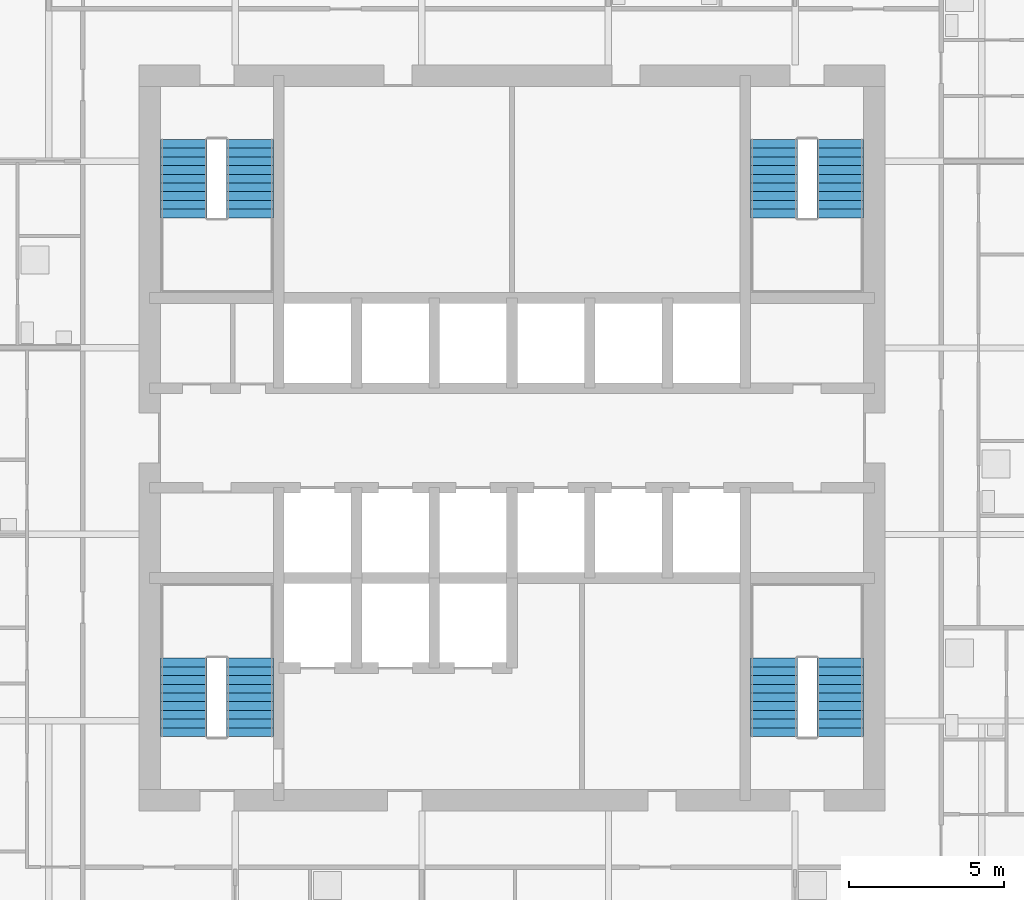
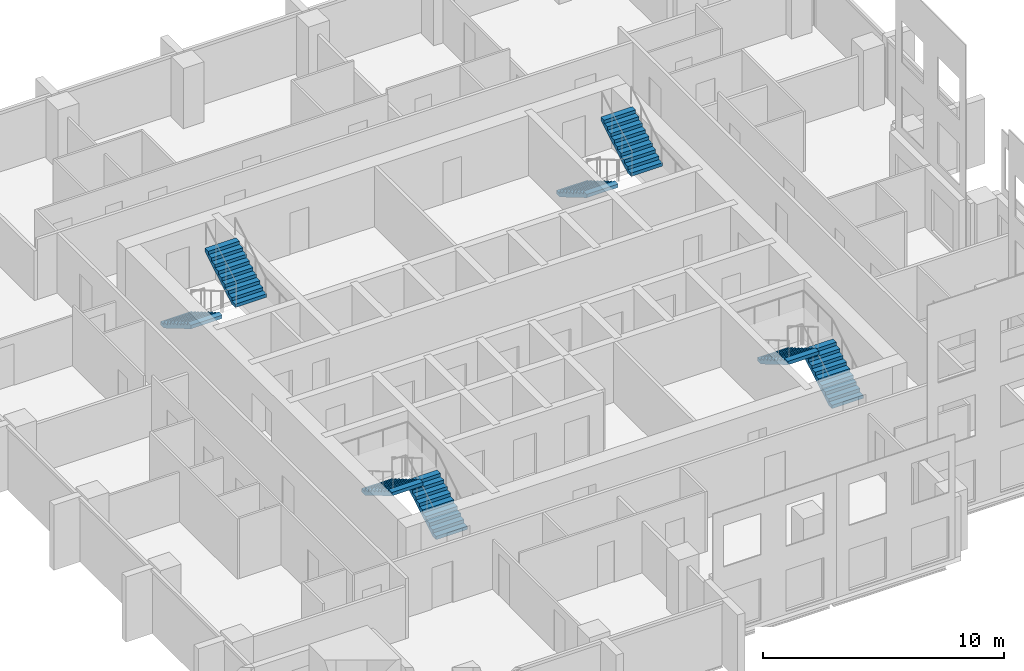
# One storey, part 8 of 11: 8 stair flights, 4 elements without a shape of their own.
"""IFC4 building model written with IfcOpenShell, lengths in metres."""

import ifcopenshell
import ifcopenshell.guid

model = None  # the IFC model being written
_history = None  # IfcOwnerHistory: only IFC2X3 demands one
_inside = {}  # id of a spatial element -> (the spatial element, [elements in it])
_under = {}  # id of a project, library or spatial element -> (it, [spatial elements below it])
_declared = {}  # id of a project -> (the project, [libraries it declares])
_typed = {}  # id of a type object -> (the type object, [elements of that type])
_made_of = {}  # id of a material, layer set ... -> (it, [elements and type objects made of it])


def new_model(schema):
    """Start an empty IFC model of exactly this schema.

    Asked for "IFC4X3", IfcOpenShell would pick the latest addendum, in which some entities
    have other attributes; the version numbers below select the first issue.
    IFC2X3 requires an IfcOwnerHistory on every rooted entity: one is made here for all.
    """
    global model, _history
    if schema == "IFC4X3":
        model = ifcopenshell.file(schema_version=(4, 3, 0, 0))
    else:
        model = ifcopenshell.file(schema=schema)
    _inside.clear()
    _under.clear()
    _declared.clear()
    _typed.clear()
    _made_of.clear()
    _history = None
    if model.schema == "IFC2X3":
        org = make("IfcOrganization", Name="unknown")
        user = make(
            "IfcPersonAndOrganization",
            ThePerson=make("IfcPerson", FamilyName="unknown"),
            TheOrganization=org,
        )
        app = make(
            "IfcApplication",
            ApplicationDeveloper=org,
            Version="unknown",
            ApplicationFullName="unknown",
            ApplicationIdentifier="unknown",
        )
        _history = make(
            "IfcOwnerHistory",
            OwningUser=user,
            OwningApplication=app,
            ChangeAction="ADDED",
            CreationDate=0,
        )
    return model


def make(cls, **values):
    """One entity of the class cls with the attributes given. An attribute that is None is left unset."""
    return model.create_entity(
        cls, **{name: value for name, value in values.items() if value is not None}
    )


def rooted(cls, **values):
    """An entity with a GlobalId (a new one), such as an element, a storey or a relation."""
    return make(cls, GlobalId=ifcopenshell.guid.new(), OwnerHistory=_history, **values)


def si_unit(unit_type, name, prefix=None):
    """IfcSIUnit, for example si_unit("LENGTHUNIT", "METRE", prefix="MILLI")."""
    return make("IfcSIUnit", UnitType=unit_type, Prefix=prefix, Name=name)


def assignment(units):
    """IfcUnitAssignment: the units of a project."""
    return None if units is None else make("IfcUnitAssignment", Units=units)


def point(xyz):
    """IfcCartesianPoint."""
    return None if xyz is None else make("IfcCartesianPoint", Coordinates=xyz)


def direction(xyz):
    """IfcDirection."""
    return None if xyz is None else make("IfcDirection", DirectionRatios=xyz)


def frame(location, z_axis=None, x_axis=None):
    """IfcAxis2Placement3D, a coordinate frame: its origin and axes. An axis left out is left unset."""
    return make(
        "IfcAxis2Placement3D",
        Location=point(location),
        Axis=direction(z_axis),
        RefDirection=direction(x_axis),
    )


def origin():
    """The frame at (0, 0, 0) with its axes left unset."""
    return frame((0.0, 0.0, 0.0))


def place(relative_to, where):
    """IfcLocalPlacement: puts the frame where relative to a parent placement (None: the world)."""
    return make(
        "IfcLocalPlacement", PlacementRelTo=relative_to, RelativePlacement=where
    )


def context(
    kind, dimensions, precision=None, world=None, true_north=None, identifier=None
):
    """IfcGeometricRepresentationContext, for example the 3D "Model" context."""
    return make(
        "IfcGeometricRepresentationContext",
        ContextIdentifier=identifier,
        ContextType=kind,
        CoordinateSpaceDimension=dimensions,
        Precision=precision,
        WorldCoordinateSystem=world,
        TrueNorth=true_north,
    )


def subcontext(parent, identifier, kind, view, scale=None):
    """IfcGeometricRepresentationSubContext, for example "Body" below "Model"."""
    return make(
        "IfcGeometricRepresentationSubContext",
        ContextIdentifier=identifier,
        ContextType=kind,
        ParentContext=parent,
        TargetScale=scale,
        TargetView=view,
    )


def project(units=None, contexts=None):
    """IfcProject with its units and contexts."""
    return rooted(
        "IfcProject",
        Name="project",
        RepresentationContexts=contexts,
        UnitsInContext=assignment(units),
    )


def spatial(cls, under=None, at=None, **own):
    """A site, building, storey or space (cls), placed at a placement, below another one or the project."""
    s = rooted(cls, ObjectPlacement=at, **own)
    if under is not None:
        _under.setdefault(under.id(), (under, []))[1].append(s)
    return s


def polyline(points):
    """IfcPolyline through the points."""
    return make("IfcPolyline", Points=[point(p) for p in points])


def outline(outer, holes=None, kind="AREA"):
    """IfcArbitraryClosedProfileDef: a profile drawn as a closed curve; with holes, ...WithVoids."""
    if holes is None:
        return make("IfcArbitraryClosedProfileDef", ProfileType=kind, OuterCurve=outer)
    return make(
        "IfcArbitraryProfileDefWithVoids",
        ProfileType=kind,
        OuterCurve=outer,
        InnerCurves=holes,
    )


def extrude(swept, where, along, depth):
    """IfcExtrudedAreaSolid: the profile swept, set in the frame where, extruded along a direction by depth."""
    return make(
        "IfcExtrudedAreaSolid",
        SweptArea=swept,
        Position=where,
        ExtrudedDirection=direction(along),
        Depth=depth,
    )


def shape(context_of_items, identifier, shape_type, items):
    """IfcShapeRepresentation: the items that make up one representation, for example the "Body"."""
    return make(
        "IfcShapeRepresentation",
        ContextOfItems=context_of_items,
        RepresentationIdentifier=identifier,
        RepresentationType=shape_type,
        Items=items,
    )


def material(Name=None, Category=None):
    """IfcMaterial."""
    return make("IfcMaterial", Name=Name, Category=Category)


def made_of(thing, what):
    """Note that an element or type object is made of a material, layer set ...; save() writes the relation."""
    if what is not None:
        _made_of.setdefault(what.id(), (what, []))[1].append(thing)
    return thing


def type_object(cls, material=None, **own):
    """A type object (cls), such as IfcWallType, which elements share."""
    return made_of(rooted(cls, **own), material)


def element(
    cls,
    number,
    at=None,
    inside=None,
    cuts=None,
    type_object=None,
    material=None,
    context=None,
    identifier="Body",
    shape_type=None,
    held_by="IfcProductDefinitionShape",
    body=None,
    shapes=None,
    **own,
):
    """One element of the class cls, such as IfcWall. Its Tag is "e" and its number.

    at: its placement. inside: the storey or other place that contains it. cuts: it is an
    opening in that element (IfcRelVoidsElement). A single representation is given by context,
    identifier, shape_type and body (its items); several are given by shapes. held_by: the class
    of the entity that holds the representations. save() writes the other relations.
    """
    e = rooted(cls, Tag="e%d" % number, ObjectPlacement=at, **own)
    if body is not None:
        shapes = [shape(context, identifier, shape_type, body)]
    if shapes is not None:
        e.Representation = make(held_by, Representations=shapes)
    if inside is not None:
        _inside.setdefault(inside.id(), (inside, []))[1].append(e)
    if cuts is not None:
        rooted(
            "IfcRelVoidsElement", RelatingBuildingElement=cuts, RelatedOpeningElement=e
        )
    if type_object is not None:
        _typed.setdefault(type_object.id(), (type_object, []))[1].append(e)
    return made_of(e, material)


def aggregate(whole, parts):
    """IfcRelAggregates: a whole, such as a stair, and the parts it consists of."""
    return rooted("IfcRelAggregates", RelatingObject=whole, RelatedObjects=parts)


def save(model, path):
    """Write the relations noted so far, then the file.

    IfcRelAggregates (storeys below a building ...), IfcRelContainedInSpatialStructure (elements
    in a storey), IfcRelDefinesByType, IfcRelAssociatesMaterial and IfcRelDeclares: one each for
    every whole, place, type object, material and project.
    """
    for whole, parts in _under.values():
        aggregate(whole, parts)
    for where, things in _inside.values():
        rooted(
            "IfcRelContainedInSpatialStructure",
            RelatedElements=things,
            RelatingStructure=where,
        )
    for kind, things in _typed.values():
        rooted("IfcRelDefinesByType", RelatedObjects=things, RelatingType=kind)
    for what, things in _made_of.values():
        rooted("IfcRelAssociatesMaterial", RelatedObjects=things, RelatingMaterial=what)
    for by, libraries in _declared.values():
        rooted("IfcRelDeclares", RelatingContext=by, RelatedDefinitions=libraries)
    model.write(path)


model = new_model("IFC4")

# Units and contexts
model_context = context("Model", 3, precision=1e-05, world=origin(), true_north=direction((0.0, 1.0)))
body_context = subcontext(model_context, "Body", "Model", "MODEL_VIEW")
ifc_project = project(units=[si_unit("LENGTHUNIT", "METRE"), si_unit("AREAUNIT", "SQUARE_METRE"), si_unit("VOLUMEUNIT", "CUBIC_METRE"), si_unit("PLANEANGLEUNIT", "RADIAN"), si_unit("MASSUNIT", "GRAM", prefix="KILO")], contexts=[model_context])

# Site, building, storey
site_placement = place(None, origin())
site = spatial("IfcSite", under=ifc_project, at=site_placement, CompositionType="ELEMENT")
building_placement = place(site_placement, origin())
building = spatial("IfcBuilding", under=site, at=building_placement, Name="Amberfall Residences", CompositionType="ELEMENT")
storey_placement = place(building_placement, frame((0.0, 0.0, 143.800048828125)))
storey = spatial("IfcBuildingStorey", under=building, at=storey_placement, Name="L38", CompositionType="ELEMENT", Elevation=143.800048828125)

# Stair, stair flights
ifc_material = material(Name="Concrete C40", Category="concrete")
stair_type = type_object("IfcStairType", Name="Exit stair 20 risers 165.0 mm", PredefinedType="HALF_TURN_STAIR", material=ifc_material)
stair_1_placement = place(storey_placement, origin())
stair_1 = element("IfcStair", 1, at=stair_1_placement, inside=storey, type_object=stair_type, Name="L38 Exit stair 1", PredefinedType="HALF_TURN_STAIR")
stair_flight_type = type_object("IfcStairFlightType", Name="Stair flight 10 risers 165.0 mm", PredefinedType="STRAIGHT", material=ifc_material)
stair_flight_1_placement = place(storey_placement, frame((66.074951171875, 35.89990234375, 0.0), z_axis=(0.0, 0.0, 1.0), x_axis=(0.0, 1.0, 0.0)))
stair_flight_1 = element("IfcStairFlight", 2, at=stair_flight_1_placement, type_object=stair_flight_type, Name="ST3 flight 1", NumberOfRisers=10, NumberOfTreads=9, PredefinedType="STRAIGHT", RiserHeight=0.165, TreadLength=0.28, context=body_context, shape_type="SweptSolid", body=[
    extrude(outline(polyline([(0.0, 0.0), (0.0, 0.1650390625), (0.280029296875, 0.1650390625), (0.280029296875, 0.330078125), (0.56005859375, 0.330078125), (0.56005859375, 0.4951171875), (0.840087890625, 0.4951171875), (0.840087890625, 0.659912109375), (1.1201171875, 0.659912109375), (1.1201171875, 0.824951171875), (1.39990234375, 0.824951171875), (1.39990234375, 0.989990234375), (1.679931640625, 0.989990234375), (1.679931640625, 1.155029296875), (1.9599609375, 1.155029296875), (1.9599609375, 1.320068359375), (2.239990234375, 1.320068359375), (2.239990234375, 1.485107421875), (2.52001953125, 1.485107421875), (2.52001953125, 1.64990234375), (2.52001953125, 1.31103515625), (0.295166015625, 0.0), (0.0, 0.0)])), frame((0.0, 0.75, 0.0), z_axis=(0.0, -1.0, 0.0), x_axis=(1.0, 0.0, 0.0)), (0.0, 0.0, 1.0), 1.5),
])
stair_flight_2_placement = place(storey_placement, frame((63.949951171875, 38.419921875, 1.64990234375), z_axis=(0.0, 0.0, 1.0), x_axis=(0.0, -1.0, 0.0)))
stair_flight_2 = element("IfcStairFlight", 3, at=stair_flight_2_placement, type_object=stair_flight_type, Name="ST3 flight 2", NumberOfRisers=10, NumberOfTreads=9, PredefinedType="STRAIGHT", RiserHeight=0.165, TreadLength=0.28, context=body_context, shape_type="SweptSolid", body=[
    extrude(outline(polyline([(0.0, 0.0), (0.0, 0.1650390625), (0.280029296875, 0.1650390625), (0.280029296875, 0.330078125), (0.56005859375, 0.330078125), (0.56005859375, 0.4951171875), (0.840087890625, 0.4951171875), (0.840087890625, 0.659912109375), (1.1201171875, 0.659912109375), (1.1201171875, 0.824951171875), (1.39990234375, 0.824951171875), (1.39990234375, 0.989990234375), (1.679931640625, 0.989990234375), (1.679931640625, 1.155029296875), (1.9599609375, 1.155029296875), (1.9599609375, 1.320068359375), (2.239990234375, 1.320068359375), (2.239990234375, 1.485107421875), (2.52001953125, 1.485107421875), (2.52001953125, 1.64990234375), (2.52001953125, 1.31103515625), (0.295166015625, 0.0), (0.0, 0.0)])), frame((0.0, 0.75, 0.0), z_axis=(0.0, -1.0, 0.0), x_axis=(1.0, 0.0, 0.0)), (0.0, 0.0, 1.0), 1.5),
])
aggregate(stair_1, [stair_flight_1, stair_flight_2])

stair_2_placement = place(storey_placement, origin())
stair_2 = element("IfcStair", 4, at=stair_2_placement, inside=storey, type_object=stair_type, Name="L38 Exit stair 2", PredefinedType="HALF_TURN_STAIR")
stair_flight_3_placement = place(storey_placement, frame((85.050048828125, 35.89990234375, 0.0), z_axis=(0.0, 0.0, 1.0), x_axis=(0.0, 1.0, 0.0)))
stair_flight_3 = element("IfcStairFlight", 5, at=stair_flight_3_placement, type_object=stair_flight_type, Name="ST3 flight 1", NumberOfRisers=10, NumberOfTreads=9, PredefinedType="STRAIGHT", RiserHeight=0.165, TreadLength=0.28, context=body_context, shape_type="SweptSolid", body=[
    extrude(outline(polyline([(0.0, 0.0), (0.0, 0.1650390625), (0.280029296875, 0.1650390625), (0.280029296875, 0.330078125), (0.56005859375, 0.330078125), (0.56005859375, 0.4951171875), (0.840087890625, 0.4951171875), (0.840087890625, 0.659912109375), (1.1201171875, 0.659912109375), (1.1201171875, 0.824951171875), (1.39990234375, 0.824951171875), (1.39990234375, 0.989990234375), (1.679931640625, 0.989990234375), (1.679931640625, 1.155029296875), (1.9599609375, 1.155029296875), (1.9599609375, 1.320068359375), (2.239990234375, 1.320068359375), (2.239990234375, 1.485107421875), (2.52001953125, 1.485107421875), (2.52001953125, 1.64990234375), (2.52001953125, 1.31103515625), (0.295166015625, 0.0), (0.0, 0.0)])), frame((0.0, 0.75, 0.0), z_axis=(0.0, -1.0, 0.0), x_axis=(1.0, 0.0, 0.0)), (0.0, 0.0, 1.0), 1.5),
])
stair_flight_4_placement = place(storey_placement, frame((82.925048828125, 38.419921875, 1.64990234375), z_axis=(0.0, 0.0, 1.0), x_axis=(0.0, -1.0, 0.0)))
stair_flight_4 = element("IfcStairFlight", 6, at=stair_flight_4_placement, type_object=stair_flight_type, Name="ST3 flight 2", NumberOfRisers=10, NumberOfTreads=9, PredefinedType="STRAIGHT", RiserHeight=0.165, TreadLength=0.28, context=body_context, shape_type="SweptSolid", body=[
    extrude(outline(polyline([(0.0, 0.0), (0.0, 0.1650390625), (0.280029296875, 0.1650390625), (0.280029296875, 0.330078125), (0.56005859375, 0.330078125), (0.56005859375, 0.4951171875), (0.840087890625, 0.4951171875), (0.840087890625, 0.659912109375), (1.1201171875, 0.659912109375), (1.1201171875, 0.824951171875), (1.39990234375, 0.824951171875), (1.39990234375, 0.989990234375), (1.679931640625, 0.989990234375), (1.679931640625, 1.155029296875), (1.9599609375, 1.155029296875), (1.9599609375, 1.320068359375), (2.239990234375, 1.320068359375), (2.239990234375, 1.485107421875), (2.52001953125, 1.485107421875), (2.52001953125, 1.64990234375), (2.52001953125, 1.31103515625), (0.295166015625, 0.0), (0.0, 0.0)])), frame((0.0, 0.75, 0.0), z_axis=(0.0, -1.0, 0.0), x_axis=(1.0, 0.0, 0.0)), (0.0, 0.0, 1.0), 1.5),
])
aggregate(stair_2, [stair_flight_3, stair_flight_4])

stair_3_placement = place(storey_placement, origin())
stair_3 = element("IfcStair", 7, at=stair_3_placement, inside=storey, type_object=stair_type, Name="L38 Exit stair 3", PredefinedType="HALF_TURN_STAIR")
stair_flight_5_placement = place(storey_placement, frame((82.925048828125, 55.10009765625, 0.0), z_axis=(0.0, 0.0, 1.0), x_axis=(0.0, -1.0, 0.0)))
stair_flight_5 = element("IfcStairFlight", 8, at=stair_flight_5_placement, type_object=stair_flight_type, Name="ST3 flight 1", NumberOfRisers=10, NumberOfTreads=9, PredefinedType="STRAIGHT", RiserHeight=0.165, TreadLength=0.28, context=body_context, shape_type="SweptSolid", body=[
    extrude(outline(polyline([(0.0, 0.0), (0.0, 0.1650390625), (0.280029296875, 0.1650390625), (0.280029296875, 0.330078125), (0.56005859375, 0.330078125), (0.56005859375, 0.4951171875), (0.840087890625, 0.4951171875), (0.840087890625, 0.659912109375), (1.1201171875, 0.659912109375), (1.1201171875, 0.824951171875), (1.39990234375, 0.824951171875), (1.39990234375, 0.989990234375), (1.679931640625, 0.989990234375), (1.679931640625, 1.155029296875), (1.9599609375, 1.155029296875), (1.9599609375, 1.320068359375), (2.239990234375, 1.320068359375), (2.239990234375, 1.485107421875), (2.52001953125, 1.485107421875), (2.52001953125, 1.64990234375), (2.52001953125, 1.31103515625), (0.295166015625, 0.0), (0.0, 0.0)])), frame((0.0, 0.75, 0.0), z_axis=(0.0, -1.0, 0.0), x_axis=(1.0, 0.0, 0.0)), (0.0, 0.0, 1.0), 1.5),
])
stair_flight_6_placement = place(storey_placement, frame((85.050048828125, 52.580078125, 1.64990234375), z_axis=(0.0, 0.0, 1.0), x_axis=(0.0, 1.0, 0.0)))
stair_flight_6 = element("IfcStairFlight", 9, at=stair_flight_6_placement, type_object=stair_flight_type, Name="ST3 flight 2", NumberOfRisers=10, NumberOfTreads=9, PredefinedType="STRAIGHT", RiserHeight=0.165, TreadLength=0.28, context=body_context, shape_type="SweptSolid", body=[
    extrude(outline(polyline([(0.0, 0.0), (0.0, 0.1650390625), (0.280029296875, 0.1650390625), (0.280029296875, 0.330078125), (0.56005859375, 0.330078125), (0.56005859375, 0.4951171875), (0.840087890625, 0.4951171875), (0.840087890625, 0.659912109375), (1.1201171875, 0.659912109375), (1.1201171875, 0.824951171875), (1.39990234375, 0.824951171875), (1.39990234375, 0.989990234375), (1.679931640625, 0.989990234375), (1.679931640625, 1.155029296875), (1.9599609375, 1.155029296875), (1.9599609375, 1.320068359375), (2.239990234375, 1.320068359375), (2.239990234375, 1.485107421875), (2.52001953125, 1.485107421875), (2.52001953125, 1.64990234375), (2.52001953125, 1.31103515625), (0.295166015625, 0.0), (0.0, 0.0)])), frame((0.0, 0.75, 0.0), z_axis=(0.0, -1.0, 0.0), x_axis=(1.0, 0.0, 0.0)), (0.0, 0.0, 1.0), 1.5),
])
aggregate(stair_3, [stair_flight_5, stair_flight_6])

stair_4_placement = place(storey_placement, origin())
stair_4 = element("IfcStair", 10, at=stair_4_placement, inside=storey, type_object=stair_type, Name="L38 Exit stair 4", PredefinedType="HALF_TURN_STAIR")
stair_flight_7_placement = place(storey_placement, frame((63.949951171875, 55.10009765625, 0.0), z_axis=(0.0, 0.0, 1.0), x_axis=(0.0, -1.0, 0.0)))
stair_flight_7 = element("IfcStairFlight", 11, at=stair_flight_7_placement, type_object=stair_flight_type, Name="ST3 flight 1", NumberOfRisers=10, NumberOfTreads=9, PredefinedType="STRAIGHT", RiserHeight=0.165, TreadLength=0.28, context=body_context, shape_type="SweptSolid", body=[
    extrude(outline(polyline([(0.0, 0.0), (0.0, 0.1650390625), (0.280029296875, 0.1650390625), (0.280029296875, 0.330078125), (0.56005859375, 0.330078125), (0.56005859375, 0.4951171875), (0.840087890625, 0.4951171875), (0.840087890625, 0.659912109375), (1.1201171875, 0.659912109375), (1.1201171875, 0.824951171875), (1.39990234375, 0.824951171875), (1.39990234375, 0.989990234375), (1.679931640625, 0.989990234375), (1.679931640625, 1.155029296875), (1.9599609375, 1.155029296875), (1.9599609375, 1.320068359375), (2.239990234375, 1.320068359375), (2.239990234375, 1.485107421875), (2.52001953125, 1.485107421875), (2.52001953125, 1.64990234375), (2.52001953125, 1.31103515625), (0.295166015625, 0.0), (0.0, 0.0)])), frame((0.0, 0.75, 0.0), z_axis=(0.0, -1.0, 0.0), x_axis=(1.0, 0.0, 0.0)), (0.0, 0.0, 1.0), 1.5),
])
stair_flight_8_placement = place(storey_placement, frame((66.074951171875, 52.580078125, 1.64990234375), z_axis=(0.0, 0.0, 1.0), x_axis=(0.0, 1.0, 0.0)))
stair_flight_8 = element("IfcStairFlight", 12, at=stair_flight_8_placement, type_object=stair_flight_type, Name="ST3 flight 2", NumberOfRisers=10, NumberOfTreads=9, PredefinedType="STRAIGHT", RiserHeight=0.165, TreadLength=0.28, context=body_context, shape_type="SweptSolid", body=[
    extrude(outline(polyline([(0.0, 0.0), (0.0, 0.1650390625), (0.280029296875, 0.1650390625), (0.280029296875, 0.330078125), (0.56005859375, 0.330078125), (0.56005859375, 0.4951171875), (0.840087890625, 0.4951171875), (0.840087890625, 0.659912109375), (1.1201171875, 0.659912109375), (1.1201171875, 0.824951171875), (1.39990234375, 0.824951171875), (1.39990234375, 0.989990234375), (1.679931640625, 0.989990234375), (1.679931640625, 1.155029296875), (1.9599609375, 1.155029296875), (1.9599609375, 1.320068359375), (2.239990234375, 1.320068359375), (2.239990234375, 1.485107421875), (2.52001953125, 1.485107421875), (2.52001953125, 1.64990234375), (2.52001953125, 1.31103515625), (0.295166015625, 0.0), (0.0, 0.0)])), frame((0.0, 0.75, 0.0), z_axis=(0.0, -1.0, 0.0), x_axis=(1.0, 0.0, 0.0)), (0.0, 0.0, 1.0), 1.5),
])
aggregate(stair_4, [stair_flight_7, stair_flight_8])

save(model, "model.ifc")
